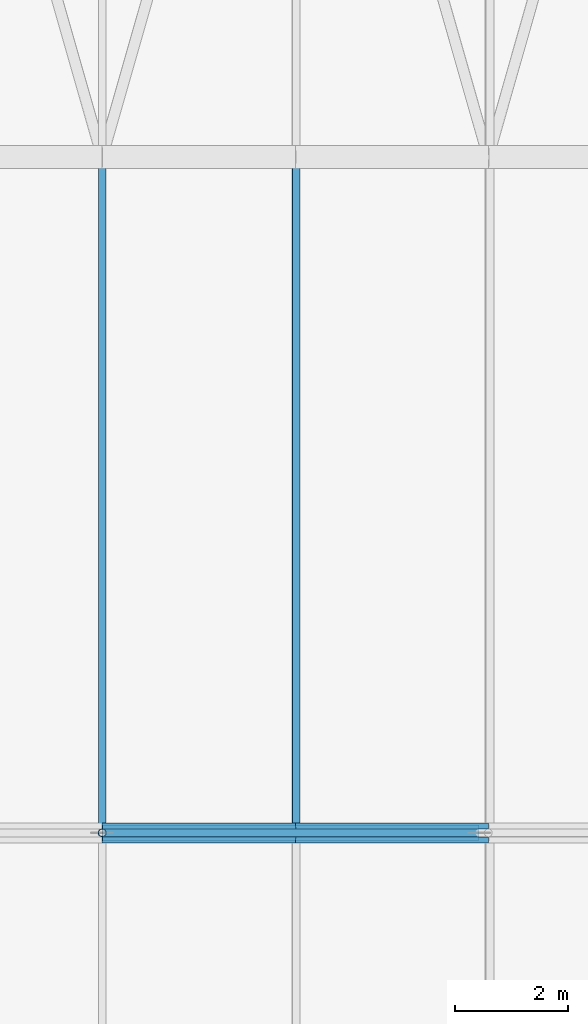
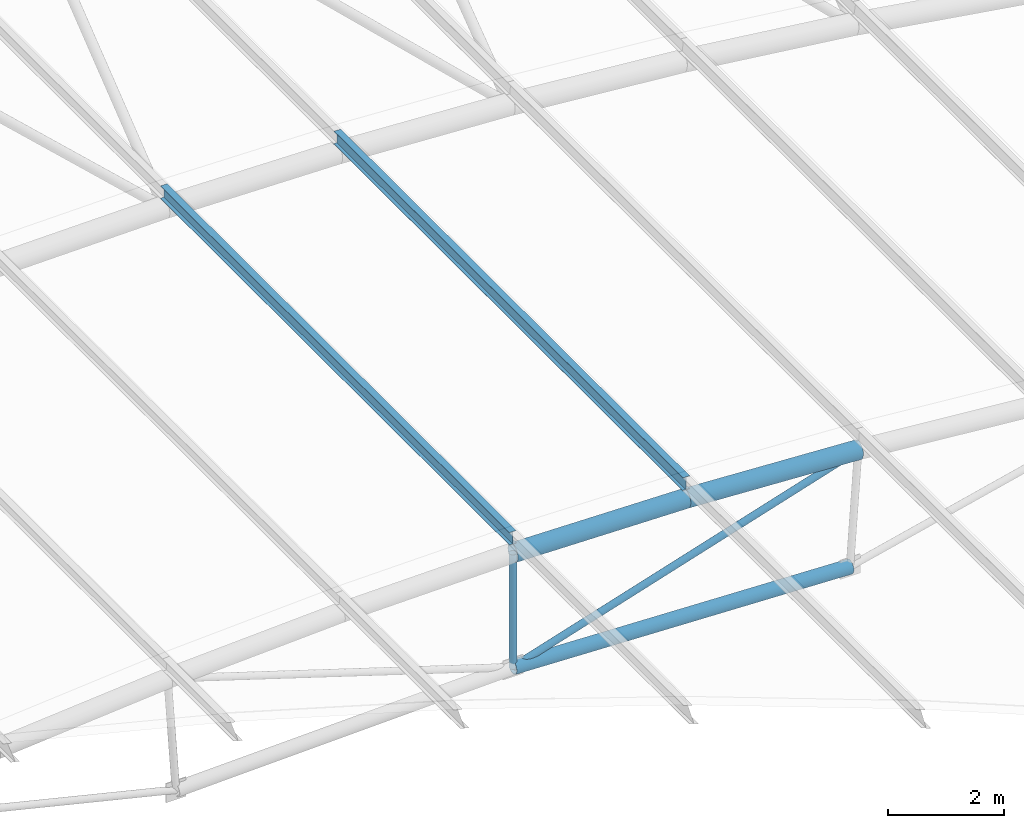
# One storey, part 11 of 91: 7 members.
"""IFC4 building model written with IfcOpenShell, lengths in metres."""

import ifcopenshell
import ifcopenshell.guid

model = None  # the IFC model being written
_history = None  # IfcOwnerHistory: only IFC2X3 demands one
_inside = {}  # id of a spatial element -> (the spatial element, [elements in it])
_under = {}  # id of a project, library or spatial element -> (it, [spatial elements below it])
_declared = {}  # id of a project -> (the project, [libraries it declares])
_typed = {}  # id of a type object -> (the type object, [elements of that type])
_made_of = {}  # id of a material, layer set ... -> (it, [elements and type objects made of it])


def new_model(schema):
    """Start an empty IFC model of exactly this schema.

    Asked for "IFC4X3", IfcOpenShell would pick the latest addendum, in which some entities
    have other attributes; the version numbers below select the first issue.
    IFC2X3 requires an IfcOwnerHistory on every rooted entity: one is made here for all.
    """
    global model, _history
    if schema == "IFC4X3":
        model = ifcopenshell.file(schema_version=(4, 3, 0, 0))
    else:
        model = ifcopenshell.file(schema=schema)
    _inside.clear()
    _under.clear()
    _declared.clear()
    _typed.clear()
    _made_of.clear()
    _history = None
    if model.schema == "IFC2X3":
        org = make("IfcOrganization", Name="unknown")
        user = make(
            "IfcPersonAndOrganization",
            ThePerson=make("IfcPerson", FamilyName="unknown"),
            TheOrganization=org,
        )
        app = make(
            "IfcApplication",
            ApplicationDeveloper=org,
            Version="unknown",
            ApplicationFullName="unknown",
            ApplicationIdentifier="unknown",
        )
        _history = make(
            "IfcOwnerHistory",
            OwningUser=user,
            OwningApplication=app,
            ChangeAction="ADDED",
            CreationDate=0,
        )
    return model


def make(cls, **values):
    """One entity of the class cls with the attributes given. An attribute that is None is left unset."""
    return model.create_entity(
        cls, **{name: value for name, value in values.items() if value is not None}
    )


def rooted(cls, **values):
    """An entity with a GlobalId (a new one), such as an element, a storey or a relation."""
    return make(cls, GlobalId=ifcopenshell.guid.new(), OwnerHistory=_history, **values)


def si_unit(unit_type, name, prefix=None):
    """IfcSIUnit, for example si_unit("LENGTHUNIT", "METRE", prefix="MILLI")."""
    return make("IfcSIUnit", UnitType=unit_type, Prefix=prefix, Name=name)


def assignment(units):
    """IfcUnitAssignment: the units of a project."""
    return None if units is None else make("IfcUnitAssignment", Units=units)


def point(xyz):
    """IfcCartesianPoint."""
    return None if xyz is None else make("IfcCartesianPoint", Coordinates=xyz)


def direction(xyz):
    """IfcDirection."""
    return None if xyz is None else make("IfcDirection", DirectionRatios=xyz)


def frame(location, z_axis=None, x_axis=None):
    """IfcAxis2Placement3D, a coordinate frame: its origin and axes. An axis left out is left unset."""
    return make(
        "IfcAxis2Placement3D",
        Location=point(location),
        Axis=direction(z_axis),
        RefDirection=direction(x_axis),
    )


def frame_2d(location, x_axis=None):
    """IfcAxis2Placement2D, a coordinate frame in the plane: its origin and x axis."""
    return make(
        "IfcAxis2Placement2D", Location=point(location), RefDirection=direction(x_axis)
    )


def origin():
    """The frame at (0, 0, 0) with its axes left unset."""
    return frame((0.0, 0.0, 0.0))


def origin_2d():
    """The frame at (0, 0) in the plane with its x axis left unset."""
    return frame_2d((0.0, 0.0))


def place(relative_to, where):
    """IfcLocalPlacement: puts the frame where relative to a parent placement (None: the world)."""
    return make(
        "IfcLocalPlacement", PlacementRelTo=relative_to, RelativePlacement=where
    )


def context(
    kind, dimensions, precision=None, world=None, true_north=None, identifier=None
):
    """IfcGeometricRepresentationContext, for example the 3D "Model" context."""
    return make(
        "IfcGeometricRepresentationContext",
        ContextIdentifier=identifier,
        ContextType=kind,
        CoordinateSpaceDimension=dimensions,
        Precision=precision,
        WorldCoordinateSystem=world,
        TrueNorth=true_north,
    )


def subcontext(parent, identifier, kind, view, scale=None):
    """IfcGeometricRepresentationSubContext, for example "Body" below "Model"."""
    return make(
        "IfcGeometricRepresentationSubContext",
        ContextIdentifier=identifier,
        ContextType=kind,
        ParentContext=parent,
        TargetScale=scale,
        TargetView=view,
    )


def project(units=None, contexts=None):
    """IfcProject with its units and contexts."""
    return rooted(
        "IfcProject",
        Name="project",
        RepresentationContexts=contexts,
        UnitsInContext=assignment(units),
    )


def spatial(cls, under=None, at=None, **own):
    """A site, building, storey or space (cls), placed at a placement, below another one or the project."""
    s = rooted(cls, ObjectPlacement=at, **own)
    if under is not None:
        _under.setdefault(under.id(), (under, []))[1].append(s)
    return s


def profile(cls, at=None, kind="AREA", **sizes):
    """A parametric profile (cls). Its sizes go by their IFC names, for example OverallWidth=200.0."""
    return make(cls, ProfileType=kind, Position=at, **sizes)


def hollow_circle(**sizes):
    """IfcCircleHollowProfileDef."""
    return profile("IfcCircleHollowProfileDef", **sizes)


def i_section(**sizes):
    """IfcIShapeProfileDef."""
    return profile("IfcIShapeProfileDef", **sizes)


def extrude(swept, where, along, depth):
    """IfcExtrudedAreaSolid: the profile swept, set in the frame where, extruded along a direction by depth."""
    return make(
        "IfcExtrudedAreaSolid",
        SweptArea=swept,
        Position=where,
        ExtrudedDirection=direction(along),
        Depth=depth,
    )


def shape(context_of_items, identifier, shape_type, items):
    """IfcShapeRepresentation: the items that make up one representation, for example the "Body"."""
    return make(
        "IfcShapeRepresentation",
        ContextOfItems=context_of_items,
        RepresentationIdentifier=identifier,
        RepresentationType=shape_type,
        Items=items,
    )


def material(Name=None, Category=None):
    """IfcMaterial."""
    return make("IfcMaterial", Name=Name, Category=Category)


def material_profile(
    of_material, cross_section, Name=None, Category=None, Priority=None
):
    """IfcMaterialProfile: a cross section and its material."""
    return make(
        "IfcMaterialProfile",
        Name=Name,
        Material=of_material,
        Profile=cross_section,
        Priority=Priority,
        Category=Category,
    )


def profile_set(profiles, Name=None, composite=None):
    """IfcMaterialProfileSet."""
    return make(
        "IfcMaterialProfileSet",
        Name=Name,
        MaterialProfiles=profiles,
        CompositeProfile=composite,
    )


def made_of(thing, what):
    """Note that an element or type object is made of a material, layer set ...; save() writes the relation."""
    if what is not None:
        _made_of.setdefault(what.id(), (what, []))[1].append(thing)
    return thing


def type_object(cls, material=None, **own):
    """A type object (cls), such as IfcWallType, which elements share."""
    return made_of(rooted(cls, **own), material)


def element(
    cls,
    number,
    at=None,
    inside=None,
    cuts=None,
    type_object=None,
    material=None,
    context=None,
    identifier="Body",
    shape_type=None,
    held_by="IfcProductDefinitionShape",
    body=None,
    shapes=None,
    **own,
):
    """One element of the class cls, such as IfcWall. Its Tag is "e" and its number.

    at: its placement. inside: the storey or other place that contains it. cuts: it is an
    opening in that element (IfcRelVoidsElement). A single representation is given by context,
    identifier, shape_type and body (its items); several are given by shapes. held_by: the class
    of the entity that holds the representations. save() writes the other relations.
    """
    e = rooted(cls, Tag="e%d" % number, ObjectPlacement=at, **own)
    if body is not None:
        shapes = [shape(context, identifier, shape_type, body)]
    if shapes is not None:
        e.Representation = make(held_by, Representations=shapes)
    if inside is not None:
        _inside.setdefault(inside.id(), (inside, []))[1].append(e)
    if cuts is not None:
        rooted(
            "IfcRelVoidsElement", RelatingBuildingElement=cuts, RelatedOpeningElement=e
        )
    if type_object is not None:
        _typed.setdefault(type_object.id(), (type_object, []))[1].append(e)
    return made_of(e, material)


def aggregate(whole, parts):
    """IfcRelAggregates: a whole, such as a stair, and the parts it consists of."""
    return rooted("IfcRelAggregates", RelatingObject=whole, RelatedObjects=parts)


def save(model, path):
    """Write the relations noted so far, then the file.

    IfcRelAggregates (storeys below a building ...), IfcRelContainedInSpatialStructure (elements
    in a storey), IfcRelDefinesByType, IfcRelAssociatesMaterial and IfcRelDeclares: one each for
    every whole, place, type object, material and project.
    """
    for whole, parts in _under.values():
        aggregate(whole, parts)
    for where, things in _inside.values():
        rooted(
            "IfcRelContainedInSpatialStructure",
            RelatedElements=things,
            RelatingStructure=where,
        )
    for kind, things in _typed.values():
        rooted("IfcRelDefinesByType", RelatedObjects=things, RelatingType=kind)
    for what, things in _made_of.values():
        rooted("IfcRelAssociatesMaterial", RelatedObjects=things, RelatingMaterial=what)
    for by, libraries in _declared.values():
        rooted("IfcRelDeclares", RelatingContext=by, RelatedDefinitions=libraries)
    model.write(path)


model = new_model("IFC4")

# Units and contexts
model_context = context("Model", 3, precision=1e-05, world=origin(), true_north=direction((0.0, 1.0)))
body_context = subcontext(model_context, "Body", "Model", "MODEL_VIEW")
ifc_project = project(units=[si_unit("LENGTHUNIT", "METRE"), si_unit("AREAUNIT", "SQUARE_METRE"), si_unit("VOLUMEUNIT", "CUBIC_METRE"), si_unit("PLANEANGLEUNIT", "RADIAN"), si_unit("MASSUNIT", "GRAM", prefix="KILO")], contexts=[model_context])

# Site, building, storey
site_placement = place(None, origin())
site = spatial("IfcSite", under=ifc_project, at=site_placement, CompositionType="ELEMENT")
building_placement = place(site_placement, origin())
building = spatial("IfcBuilding", under=site, at=building_placement, Name="Ravi Spectrum Wholesale Market", CompositionType="ELEMENT")
storey_placement = place(building_placement, frame((0.0, 0.0, 16.199951171875)))
storey = spatial("IfcBuildingStorey", under=building, at=storey_placement, Name="ROOF PLANT LEVEL", CompositionType="ELEMENT", Elevation=16.199951171875)

# Members
ifc_material_1 = material(Name="Steel S355", Category="steel")
ifc_material_profile_1 = material_profile(ifc_material_1, hollow_circle(Radius=0.06982421875, WallThickness=0.0048828125, at=origin_2d()))
ifc_profile_set_1 = profile_set([ifc_material_profile_1], Name="Steel S355")
member_type_1 = type_object("IfcMemberType", Name="CHS 139.7x5 brace", PredefinedType="BRACE", material=ifc_profile_set_1)
member_1_placement = place(storey_placement, frame((76.857177734375, 90.0, 2.788818359375), z_axis=(-0.953666273238, 0.0, -0.300866480833), x_axis=(0.0, -1.0, 0.0)))
element("IfcMember", 1, at=member_1_placement, inside=storey, type_object=member_type_1, Name="H1-MB-L02-476", PredefinedType="BRACE", context=body_context, shape_type="SweptSolid", body=[
    extrude(hollow_circle(Radius=0.06982421875, WallThickness=0.0048828125, at=origin_2d()), origin(), (0.0, 0.0, 1.0), 7.1904296875),
])
ifc_material_2 = material(Name="Steel S355", Category="steel")
ifc_material_profile_2 = material_profile(ifc_material_2, hollow_circle(Radius=0.06982421875, WallThickness=0.0048828125, at=origin_2d()))
ifc_profile_set_2 = profile_set([ifc_material_profile_2], Name="Steel S355")
member_type_2 = type_object("IfcMemberType", Name="CHS 139.7x5 post", PredefinedType="POST", material=ifc_profile_set_2)
member_2_placement = place(storey_placement, frame((70.0, 90.0, 3.025390625), z_axis=(0.0, 0.0, -1.0), x_axis=(1.0, 0.0, 0.0)))
element("IfcMember", 2, at=member_2_placement, inside=storey, type_object=member_type_2, Name="H1-MB-L02-465", PredefinedType="POST", context=body_context, shape_type="SweptSolid", body=[
    extrude(hollow_circle(Radius=0.06982421875, WallThickness=0.0048828125, at=origin_2d()), origin(), (0.0, 0.0, 1.0), 2.39990234375),
])
ifc_material_3 = material(Name="Steel S355", Category="steel")
ifc_material_profile_3 = material_profile(ifc_material_3, hollow_circle(Radius=0.136474609375, WallThickness=0.010009765625, at=origin_2d()))
ifc_profile_set_3 = profile_set([ifc_material_profile_3], Name="Steel S355")
member_type_3 = type_object("IfcMemberType", Name="CHS 273x10 chord", PredefinedType="CHORD", material=ifc_profile_set_3)
member_3_placement = place(storey_placement, frame((70.0, 90.0, 0.62548828125), z_axis=(0.999404959621, 0.0, -0.034492414878), x_axis=(0.0, 1.0, 0.0)))
element("IfcMember", 3, at=member_3_placement, inside=storey, type_object=member_type_3, Name="H1-MB-L02-454", PredefinedType="CHORD", context=body_context, shape_type="SweptSolid", body=[
    extrude(hollow_circle(Radius=0.136474609375, WallThickness=0.010009765625, at=origin_2d()), origin(), (0.0, 0.0, 1.0), 6.69580078125),
])
ifc_material_4 = material(Name="Steel S355", Category="steel")
ifc_material_profile_4 = material_profile(ifc_material_4, hollow_circle(Radius=0.177734375, WallThickness=0.012451171875, at=origin_2d()))
ifc_profile_set_4 = profile_set([ifc_material_profile_4], Name="Steel S355")
member_type_4 = type_object("IfcMemberType", Name="CHS 355.6x12.5 chord", PredefinedType="CHORD", material=ifc_profile_set_4)
for number, where, z_axis, x_axis, name in (
    (4, (70.0, 90.0, 3.025390625), (0.99985173868, 0.0, -0.017219194475), (0.0, 1.0, 0.0), "H1-MB-L02-436"),
    (5, (73.4306640625, 90.0, 2.96630859375), (0.998661121681, 0.0, -0.051729721087), (0.0, 1.0, 0.0), "H1-MB-L02-437"),
):
    element("IfcMember", number, at=place(storey_placement, frame(where, z_axis=z_axis, x_axis=x_axis)), inside=storey, type_object=member_type_4, Name=name, PredefinedType="CHORD", context=body_context, shape_type="SweptSolid", body=[
        extrude(hollow_circle(Radius=0.177734375, WallThickness=0.012451171875, at=origin_2d()), origin(), (0.0, 0.0, 1.0), 3.43115234375),
    ])
ifc_material_5 = material(Name="Steel S355", Category="steel")
ifc_material_profile_5 = material_profile(ifc_material_5, i_section(OverallWidth=0.135009765625, OverallDepth=0.27001953125, WebThickness=0.006591796875, FlangeThickness=0.01025390625, at=origin_2d()))
ifc_profile_set_5 = profile_set([ifc_material_profile_5], Name="Steel S355")
member_type_5 = type_object("IfcMemberType", Name="IPE 270 purlin", PredefinedType="PURLIN", material=ifc_profile_set_5)
for number, where, z_axis, x_axis, name in (
    (6, (70.0, 90.0, 3.338134765625), (0.0, 1.0, 0.0), (-1.0, 0.0, 0.0), "H1-MB-L02-1371"),
    (7, (73.44140625, 90.0, 3.27880859375), (0.0, 1.0, 0.0), (-0.999404978812, 0.0, 0.034491858836), "H1-MB-L02-1372"),
):
    element("IfcMember", number, at=place(storey_placement, frame(where, z_axis=z_axis, x_axis=x_axis)), inside=storey, type_object=member_type_5, Name=name, PredefinedType="PURLIN", context=body_context, shape_type="SweptSolid", body=[
        extrude(i_section(OverallWidth=0.135009765625, OverallDepth=0.27001953125, WebThickness=0.006591796875, FlangeThickness=0.01025390625, at=origin_2d()), origin(), (0.0, 0.0, 1.0), 12.0),
    ])

save(model, "model.ifc")
